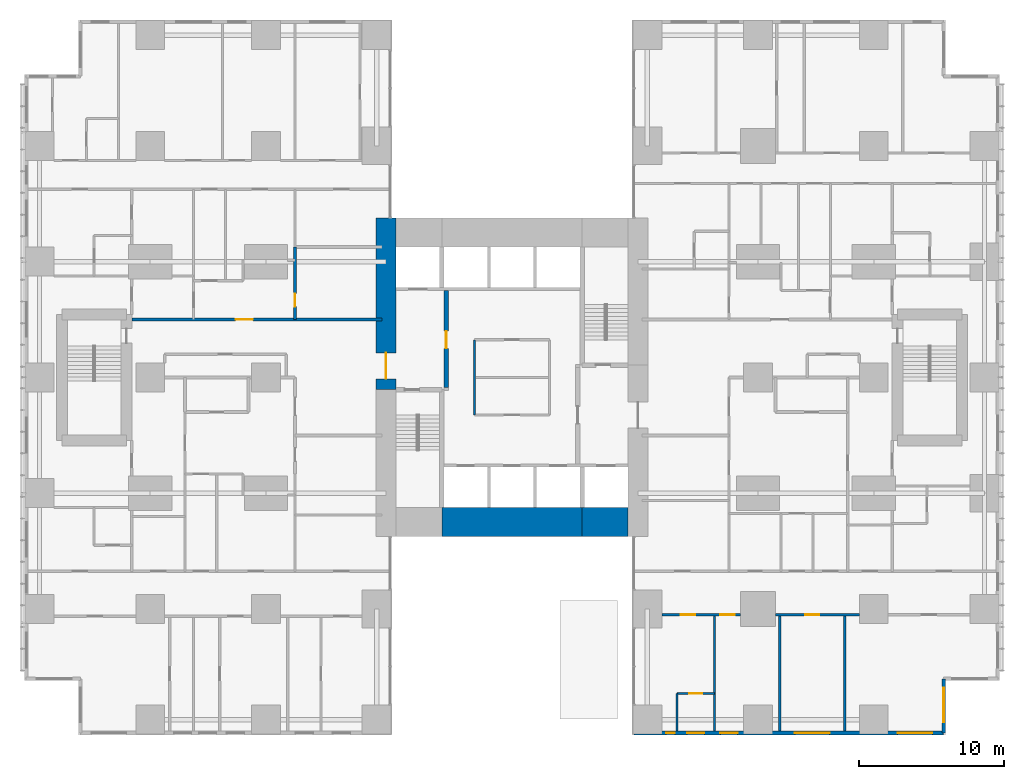
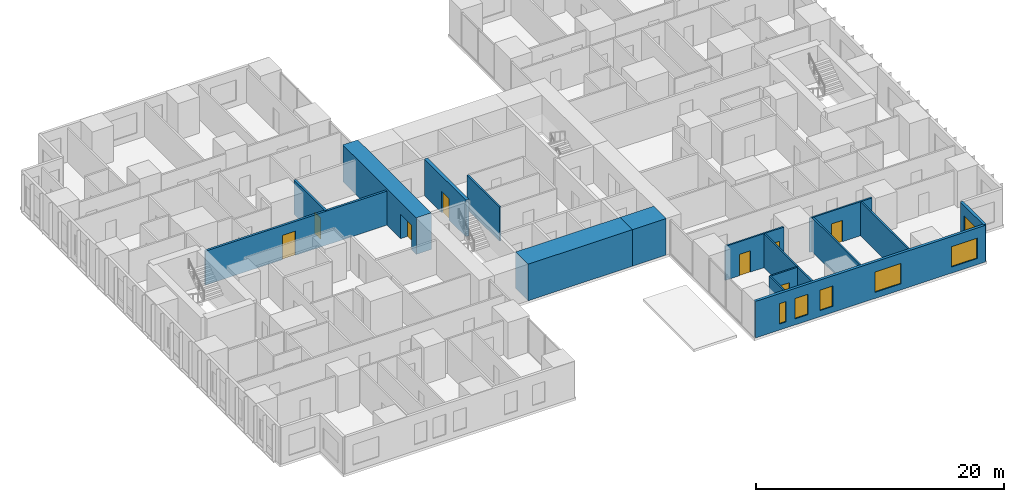
# One storey, part 16 of 22: 16 walls, 8 doors, 6 windows, 14 openings.
"""IFC4 building model written with IfcOpenShell, lengths in metres."""

from ifc_helpers import new_model, si_unit, direction, frame, frame_2d, origin, place, context, subcontext, project, spatial, rectangle, extrude, material, layer, layer_set, type_object, element, fill, save


model = new_model("IFC4")

# Units and contexts
model_context = context("Model", 3, precision=1e-05, world=origin(), true_north=direction((0.0, 1.0)))
body_context = subcontext(model_context, "Body", "Model", "MODEL_VIEW")
ifc_project = project(units=[si_unit("LENGTHUNIT", "METRE"), si_unit("AREAUNIT", "SQUARE_METRE"), si_unit("VOLUMEUNIT", "CUBIC_METRE"), si_unit("PLANEANGLEUNIT", "RADIAN"), si_unit("MASSUNIT", "GRAM", prefix="KILO")], contexts=[model_context])

# Site, building, storey
site_placement = place(None, origin())
site = spatial("IfcSite", under=ifc_project, at=site_placement, CompositionType="ELEMENT")
building_placement = place(site_placement, origin())
building = spatial("IfcBuilding", under=site, at=building_placement, Name="Cleftline Residences", CompositionType="ELEMENT")
storey_placement = place(building_placement, frame((0.0, 0.0, 29.60009765625)))
storey = spatial("IfcBuildingStorey", under=building, at=storey_placement, Name="L06", CompositionType="ELEMENT", Elevation=29.60009765625)

# Wall, opening, door
ifc_material_1 = material(Name="Concrete B70", Category="concrete")
ifc_layer_1 = layer(ifc_material_1, 1.39990234375)
ifc_layer_set_1 = layer_set([ifc_layer_1], Name="CORE WALL 1400")
wall_type_1 = type_object("IfcWallType", Name="CORE WALL 1400", PredefinedType="SHEAR", material=ifc_layer_set_1)
wall_1_placement = place(storey_placement, frame((24.300048828125, 23.14990234375, 0.0), z_axis=(0.0, 0.0, 1.0), x_axis=(0.0, 1.0, 0.0)))
wall_1 = element("IfcWall", 1, at=wall_1_placement, inside=storey, type_object=wall_type_1, Name="Core wall W", PredefinedType="SHEAR", context=body_context, shape_type="SweptSolid", body=[
    extrude(rectangle(XDim=11.85009765625, YDim=1.39990234375, at=frame_2d((5.925048828125, 0.0))), origin(), (0.0, 0.0, 1.0), 3.599853515625),
])
opening_1_placement = place(wall_1_placement, frame((0.75, 0.0, 0.0)))
opening_1 = element("IfcOpeningElement", 2, at=opening_1_placement, cuts=wall_1, Name="Opening D7", PredefinedType="OPENING", context=body_context, shape_type="SweptSolid", body=[
    extrude(rectangle(XDim=1.800048828125, YDim=2.39990234375, at=frame_2d((0.89990234375, 1.199951171875))), frame((0.0, 0.7099609375, 0.0), z_axis=(0.0, -1.0, 0.0), x_axis=(1.0, 0.0, 0.0)), (0.0, 0.0, 1.0), 1.419921875),
])
ifc_material_2 = material(Name="Steel", Category="steel")
door_type_1 = type_object("IfcDoorType", Name="WING DOOR 1800X2400", OperationType="DOUBLE_DOOR_DOUBLE_SWING", PredefinedType="DOOR", material=ifc_material_2)
door_1_placement = place(opening_1_placement, origin())
door_1 = element("IfcDoor", 3, at=door_1_placement, inside=storey, type_object=door_type_1, Name="West wing door", OperationType="DOUBLE_DOOR_DOUBLE_SWING", OverallHeight=2.39990234375, OverallWidth=1.800048828125, PredefinedType="DOOR", context=body_context, shape_type="SweptSolid", body=[
    extrude(rectangle(XDim=1.800048828125, YDim=2.39990234375, at=frame_2d((0.89990234375, 1.199951171875))), frame((0.0, 0.02490234375, 0.0), z_axis=(0.0, -1.0, 0.0), x_axis=(1.0, 0.0, 0.0)), (0.0, 0.0, 1.0), 0.050048828125),
])
fill(opening_1, door_1)

# Walls
ifc_material_3 = material(Name="Concrete B70", Category="concrete")
ifc_layer_2 = layer(ifc_material_3, 2.0)
ifc_layer_set_2 = layer_set([ifc_layer_2], Name="CORE WALL 2000")
wall_type_2 = type_object("IfcWallType", Name="CORE WALL 2000", PredefinedType="SHEAR", material=ifc_layer_set_2)
wall_2_placement = place(storey_placement, frame((28.14990234375, 14.0, 0.0), z_axis=(0.0, 0.0, 1.0), x_axis=(1.0, 0.0, 0.0)))
element("IfcWall", 4, at=wall_2_placement, inside=storey, type_object=wall_type_2, Name="Core wall S2", PredefinedType="SHEAR", context=body_context, shape_type="SweptSolid", body=[
    extrude(rectangle(XDim=9.7001953125, YDim=2.0, at=frame_2d((4.85009765625, 0.0))), origin(), (0.0, 0.0, 1.0), 3.599853515625),
])
wall_3_placement = place(storey_placement, frame((37.85009765625, 14.0, 0.0), z_axis=(0.0, 0.0, 1.0), x_axis=(1.0, 0.0, 0.0)))
element("IfcWall", 5, at=wall_3_placement, inside=storey, type_object=wall_type_2, Name="Core wall S3", PredefinedType="SHEAR", context=body_context, shape_type="SweptSolid", body=[
    extrude(rectangle(XDim=3.14990234375, YDim=2.0, at=frame_2d((1.574951171875, 0.0))), origin(), (0.0, 0.0, 1.0), 3.599853515625),
])

# Wall, openings, windows
ifc_material_4 = material(Name="Rendered reinforced concrete blockwork", Category="masonry")
ifc_layer_3 = layer(ifc_material_4, 0.25)
ifc_layer_set_3 = layer_set([ifc_layer_3], Name="EXTERNAL WALL 250")
wall_type_3 = type_object("IfcWallType", Name="EXTERNAL WALL 250", PredefinedType="SOLIDWALL", material=ifc_layer_set_3)
wall_4_placement = place(storey_placement, frame((41.425048828125, -0.574951171875, 0.0), z_axis=(0.0, 0.0, 1.0), x_axis=(1.0, 0.0, 0.0)))
wall_4 = element("IfcWall", 6, at=wall_4_placement, inside=storey, type_object=wall_type_3, Name="External wall", PredefinedType="SOLIDWALL", context=body_context, shape_type="SweptSolid", body=[
    extrude(rectangle(XDim=21.39990234375, YDim=0.25, at=frame_2d((10.699951171875, 0.0))), origin(), (0.0, 0.0, 1.0), 3.599853515625),
])
opening_2_placement = place(wall_4_placement, frame((2.22509765625, 0.0, 0.60009765625)))
opening_2 = element("IfcOpeningElement", 7, at=opening_2_placement, cuts=wall_4, Name="Opening W7", PredefinedType="OPENING", context=body_context, shape_type="SweptSolid", body=[
    extrude(rectangle(XDim=0.60009765625, YDim=2.0, at=frame_2d((0.300048828125, 1.0))), frame((0.0, 0.135009765625, 0.0), z_axis=(0.0, -1.0, 0.0), x_axis=(1.0, 0.0, 0.0)), (0.0, 0.0, 1.0), 0.27001953125),
])
opening_3_placement = place(wall_4_placement, frame((3.675048828125, 0.0, 0.60009765625)))
opening_3 = element("IfcOpeningElement", 8, at=opening_3_placement, cuts=wall_4, Name="Opening W8", PredefinedType="OPENING", context=body_context, shape_type="SweptSolid", body=[
    extrude(rectangle(XDim=1.199951171875, YDim=2.0, at=frame_2d((0.60009765625, 1.0))), frame((0.0, 0.135009765625, 0.0), z_axis=(0.0, -1.0, 0.0), x_axis=(1.0, 0.0, 0.0)), (0.0, 0.0, 1.0), 0.27001953125),
])
opening_4_placement = place(wall_4_placement, frame((5.97509765625, 0.0, 0.60009765625)))
opening_4 = element("IfcOpeningElement", 9, at=opening_4_placement, cuts=wall_4, Name="Opening W8", PredefinedType="OPENING", context=body_context, shape_type="SweptSolid", body=[
    extrude(rectangle(XDim=1.199951171875, YDim=2.0, at=frame_2d((0.60009765625, 1.0))), frame((0.0, 0.135009765625, 0.0), z_axis=(0.0, -1.0, 0.0), x_axis=(1.0, 0.0, 0.0)), (0.0, 0.0, 1.0), 0.27001953125),
])
opening_5_placement = place(wall_4_placement, frame((11.125, 0.0, 0.60009765625)))
opening_5 = element("IfcOpeningElement", 10, at=opening_5_placement, cuts=wall_4, Name="Opening W6", PredefinedType="OPENING", context=body_context, shape_type="SweptSolid", body=[
    extrude(rectangle(XDim=2.39990234375, YDim=2.0, at=frame_2d((1.199951171875, 1.0))), frame((0.0, 0.135009765625, 0.0), z_axis=(0.0, -1.0, 0.0), x_axis=(1.0, 0.0, 0.0)), (0.0, 0.0, 1.0), 0.27001953125),
])
opening_6_placement = place(wall_4_placement, frame((18.22509765625, 0.0, 0.60009765625)))
opening_6 = element("IfcOpeningElement", 11, at=opening_6_placement, cuts=wall_4, Name="Opening W6", PredefinedType="OPENING", context=body_context, shape_type="SweptSolid", body=[
    extrude(rectangle(XDim=2.39990234375, YDim=2.0, at=frame_2d((1.199951171875, 1.0))), frame((0.0, 0.135009765625, 0.0), z_axis=(0.0, -1.0, 0.0), x_axis=(1.0, 0.0, 0.0)), (0.0, 0.0, 1.0), 0.27001953125),
])
ifc_material_5 = material(Name="Aluminium frame, clear double glazing", Category="aluminium")
window_type_1 = type_object("IfcWindowType", Name="WINDOW 1200X2000", PartitioningType="DOUBLE_PANEL_VERTICAL", PredefinedType="WINDOW", material=ifc_material_5)
window_1_placement = place(opening_3_placement, origin())
window_1 = element("IfcWindow", 12, at=window_1_placement, inside=storey, type_object=window_type_1, Name="Window", OverallHeight=2.0, OverallWidth=1.199951171875, PartitioningType="SINGLE_PANEL", PredefinedType="WINDOW", context=body_context, shape_type="SweptSolid", body=[
    extrude(rectangle(XDim=1.199951171875, YDim=2.0, at=frame_2d((0.60009765625, 1.0))), frame((0.0, 0.030029296875, 0.0), z_axis=(0.0, -1.0, 0.0), x_axis=(1.0, 0.0, 0.0)), (0.0, 0.0, 1.0), 0.06005859375),
])
fill(opening_3, window_1)
window_2_placement = place(opening_4_placement, origin())
window_2 = element("IfcWindow", 13, at=window_2_placement, inside=storey, type_object=window_type_1, Name="Window", OverallHeight=2.0, OverallWidth=1.199951171875, PartitioningType="SINGLE_PANEL", PredefinedType="WINDOW", context=body_context, shape_type="SweptSolid", body=[
    extrude(rectangle(XDim=1.199951171875, YDim=2.0, at=frame_2d((0.60009765625, 1.0))), frame((0.0, 0.030029296875, 0.0), z_axis=(0.0, -1.0, 0.0), x_axis=(1.0, 0.0, 0.0)), (0.0, 0.0, 1.0), 0.06005859375),
])
fill(opening_4, window_2)
ifc_material_6 = material(Name="Aluminium frame, clear double glazing", Category="aluminium")
window_type_2 = type_object("IfcWindowType", Name="WINDOW 2400X2000", PartitioningType="DOUBLE_PANEL_VERTICAL", PredefinedType="WINDOW", material=ifc_material_6)
window_3_placement = place(opening_5_placement, origin())
window_3 = element("IfcWindow", 14, at=window_3_placement, inside=storey, type_object=window_type_2, Name="Window", OverallHeight=2.0, OverallWidth=2.39990234375, PartitioningType="SINGLE_PANEL", PredefinedType="WINDOW", context=body_context, shape_type="SweptSolid", body=[
    extrude(rectangle(XDim=2.39990234375, YDim=2.0, at=frame_2d((1.199951171875, 1.0))), frame((0.0, 0.030029296875, 0.0), z_axis=(0.0, -1.0, 0.0), x_axis=(1.0, 0.0, 0.0)), (0.0, 0.0, 1.0), 0.06005859375),
])
fill(opening_5, window_3)
window_4_placement = place(opening_6_placement, origin())
window_4 = element("IfcWindow", 15, at=window_4_placement, inside=storey, type_object=window_type_2, Name="Window", OverallHeight=2.0, OverallWidth=2.39990234375, PartitioningType="SINGLE_PANEL", PredefinedType="WINDOW", context=body_context, shape_type="SweptSolid", body=[
    extrude(rectangle(XDim=2.39990234375, YDim=2.0, at=frame_2d((1.199951171875, 1.0))), frame((0.0, 0.030029296875, 0.0), z_axis=(0.0, -1.0, 0.0), x_axis=(1.0, 0.0, 0.0)), (0.0, 0.0, 1.0), 0.06005859375),
])
fill(opening_6, window_4)
ifc_material_7 = material(Name="Aluminium frame, clear double glazing", Category="aluminium")
window_type_3 = type_object("IfcWindowType", Name="WINDOW 600X2000", PartitioningType="DOUBLE_PANEL_VERTICAL", PredefinedType="WINDOW", material=ifc_material_7)
window_5_placement = place(opening_2_placement, origin())
window_5 = element("IfcWindow", 16, at=window_5_placement, inside=storey, type_object=window_type_3, Name="Window", OverallHeight=2.0, OverallWidth=0.60009765625, PartitioningType="SINGLE_PANEL", PredefinedType="WINDOW", context=body_context, shape_type="SweptSolid", body=[
    extrude(rectangle(XDim=0.60009765625, YDim=2.0, at=frame_2d((0.300048828125, 1.0))), frame((0.0, 0.030029296875, 0.0), z_axis=(0.0, -1.0, 0.0), x_axis=(1.0, 0.0, 0.0)), (0.0, 0.0, 1.0), 0.06005859375),
])
fill(opening_2, window_5)

# Wall, opening, window
wall_5_placement = place(storey_placement, frame((62.824951171875, -0.574951171875, 0.0), z_axis=(0.0, 0.0, 1.0), x_axis=(0.0, 1.0, 0.0)))
wall_5 = element("IfcWall", 17, at=wall_5_placement, inside=storey, type_object=wall_type_3, Name="External wall", PredefinedType="SOLIDWALL", context=body_context, shape_type="SweptSolid", body=[
    extrude(rectangle(XDim=3.75, YDim=0.25, at=frame_2d((1.875, 0.0))), origin(), (0.0, 0.0, 1.0), 3.599853515625),
])
opening_7_placement = place(wall_5_placement, frame((0.737548828125, 0.0, 0.60009765625)))
opening_7 = element("IfcOpeningElement", 18, at=opening_7_placement, cuts=wall_5, Name="Opening W6", PredefinedType="OPENING", context=body_context, shape_type="SweptSolid", body=[
    extrude(rectangle(XDim=2.39990234375, YDim=2.0, at=frame_2d((1.199951171875, 1.0))), frame((0.0, 0.135009765625, 0.0), z_axis=(0.0, -1.0, 0.0), x_axis=(1.0, 0.0, 0.0)), (0.0, 0.0, 1.0), 0.27001953125),
])
window_6_placement = place(opening_7_placement, origin())
window_6 = element("IfcWindow", 19, at=window_6_placement, inside=storey, type_object=window_type_2, Name="Window", OverallHeight=2.0, OverallWidth=2.39990234375, PartitioningType="SINGLE_PANEL", PredefinedType="WINDOW", context=body_context, shape_type="SweptSolid", body=[
    extrude(rectangle(XDim=2.39990234375, YDim=2.0, at=frame_2d((1.199951171875, 1.0))), frame((0.0, 0.030029296875, 0.0), z_axis=(0.0, -1.0, 0.0), x_axis=(1.0, 0.0, 0.0)), (0.0, 0.0, 1.0), 0.06005859375),
])
fill(opening_7, window_6)

# Wall, opening, door
ifc_material_8 = material(Name="Concrete blockwork, fire rated", Category="masonry")
ifc_layer_4 = layer(ifc_material_8, 0.199951171875)
ifc_layer_set_4 = layer_set([ifc_layer_4], Name="FIRE WALL 200")
wall_type_4 = type_object("IfcWallType", Name="FIRE WALL 200", PredefinedType="PARTITIONING", material=ifc_layer_set_4)
wall_6_placement = place(storey_placement, frame((6.72509765625, 28.0, 0.0), z_axis=(0.0, 0.0, 1.0), x_axis=(1.0, 0.0, 0.0)))
wall_6 = element("IfcWall", 20, at=wall_6_placement, inside=storey, type_object=wall_type_4, Name="Fire separating wall", PredefinedType="PARTITIONING", context=body_context, shape_type="SweptSolid", body=[
    extrude(rectangle(XDim=17.27490234375, YDim=0.199951171875, at=frame_2d((8.637451171875, 0.0))), origin(), (0.0, 0.0, 1.0), 3.349853515625),
])
opening_8_placement = place(wall_6_placement, frame((7.175048828125, 0.0, 0.0)))
opening_8 = element("IfcOpeningElement", 21, at=opening_8_placement, cuts=wall_6, Name="Opening D4", PredefinedType="OPENING", context=body_context, shape_type="SweptSolid", body=[
    extrude(rectangle(XDim=1.199951171875, YDim=2.39990234375, at=frame_2d((0.60009765625, 1.199951171875))), frame((0.0, 0.10986328125, 0.0), z_axis=(0.0, -1.0, 0.0), x_axis=(1.0, 0.0, 0.0)), (0.0, 0.0, 1.0), 0.219970703125),
])
ifc_material_9 = material(Name="Timber veneer on solid core", Category="wood")
door_type_2 = type_object("IfcDoorType", Name="APARTMENT ENTRANCE DOOR 1200X2400", OperationType="SINGLE_SWING_RIGHT", PredefinedType="DOOR", material=ifc_material_9)
door_2_placement = place(opening_8_placement, origin())
door_2 = element("IfcDoor", 22, at=door_2_placement, inside=storey, type_object=door_type_2, Name="Door to residence entrance foyer", OperationType="SINGLE_SWING_RIGHT", OverallHeight=2.39990234375, OverallWidth=1.199951171875, PredefinedType="DOOR", context=body_context, shape_type="SweptSolid", body=[
    extrude(rectangle(XDim=1.199951171875, YDim=2.39990234375, at=frame_2d((0.60009765625, 1.199951171875))), frame((0.0, 0.02490234375, 0.0), z_axis=(0.0, -1.0, 0.0), x_axis=(1.0, 0.0, 0.0)), (0.0, 0.0, 1.0), 0.050048828125),
])
fill(opening_8, door_2)

wall_7_placement = place(storey_placement, frame((18.0, 28.0, 0.0), z_axis=(0.0, 0.0, 1.0), x_axis=(0.0, 1.0, 0.0)))
wall_7 = element("IfcWall", 23, at=wall_7_placement, inside=storey, type_object=wall_type_4, Name="Fire separating wall", PredefinedType="PARTITIONING", context=body_context, shape_type="SweptSolid", body=[
    extrude(rectangle(XDim=5.0, YDim=0.199951171875, at=frame_2d((2.5, 0.0))), origin(), (0.0, 0.0, 1.0), 3.349853515625),
])
opening_9_placement = place(wall_7_placement, frame((0.887451171875, 0.0, 0.0)))
opening_9 = element("IfcOpeningElement", 24, at=opening_9_placement, cuts=wall_7, Name="Opening D1F30", PredefinedType="OPENING", context=body_context, shape_type="SweptSolid", body=[
    extrude(rectangle(XDim=0.89990234375, YDim=2.10009765625, at=frame_2d((0.449951171875, 1.050048828125))), frame((0.0, 0.10986328125, 0.0), z_axis=(0.0, -1.0, 0.0), x_axis=(1.0, 0.0, 0.0)), (0.0, 0.0, 1.0), 0.219970703125),
])
ifc_material_10 = material(Name="Timber veneer on solid core", Category="wood")
door_type_3 = type_object("IfcDoorType", Name="DOOR 900X2100 EI 30", OperationType="SINGLE_SWING_LEFT", PredefinedType="DOOR", material=ifc_material_10)
door_3_placement = place(opening_9_placement, origin())
door_3 = element("IfcDoor", 25, at=door_3_placement, inside=storey, type_object=door_type_3, Name="Door to utility room and wc", OperationType="SINGLE_SWING_RIGHT", OverallHeight=2.10009765625, OverallWidth=0.89990234375, PredefinedType="DOOR", context=body_context, shape_type="SweptSolid", body=[
    extrude(rectangle(XDim=0.89990234375, YDim=2.10009765625, at=frame_2d((0.449951171875, 1.050048828125))), frame((0.0, 0.02490234375, 0.0), z_axis=(0.0, -1.0, 0.0), x_axis=(1.0, 0.0, 0.0)), (0.0, 0.0, 1.0), 0.050048828125),
])
fill(opening_9, door_3)

ifc_material_11 = material(Name="Gypsum board on steel studs", Category="steel")
ifc_layer_5 = layer(ifc_material_11, 0.14990234375)
ifc_layer_set_5 = layer_set([ifc_layer_5], Name="PARTITION 150")
wall_type_5 = type_object("IfcWallType", Name="PARTITION 150", PredefinedType="PARTITIONING", material=ifc_layer_set_5)
wall_8_placement = place(storey_placement, frame((44.39990234375, 2.14990234375, 0.0), z_axis=(0.0, 0.0, 1.0), x_axis=(1.0, 0.0, 0.0)))
wall_8 = element("IfcWall", 26, at=wall_8_placement, inside=storey, type_object=wall_type_5, Name="Partition", PredefinedType="PARTITIONING", context=body_context, shape_type="SweptSolid", body=[
    extrude(rectangle(XDim=2.60009765625, YDim=0.14990234375, at=frame_2d((1.300048828125, 0.0))), origin(), (0.0, 0.0, 1.0), 3.349853515625),
])
opening_10_placement = place(wall_8_placement, frame((0.85009765625, 0.0, 0.0)))
opening_10 = element("IfcOpeningElement", 27, at=opening_10_placement, cuts=wall_8, Name="Opening D1", PredefinedType="OPENING", context=body_context, shape_type="SweptSolid", body=[
    extrude(rectangle(XDim=0.89990234375, YDim=2.10009765625, at=frame_2d((0.449951171875, 1.050048828125))), frame((0.0, 0.0849609375, 0.0), z_axis=(0.0, -1.0, 0.0), x_axis=(1.0, 0.0, 0.0)), (0.0, 0.0, 1.0), 0.169921875),
])
ifc_material_12 = material(Name="Timber veneer on solid core", Category="wood")
door_type_4 = type_object("IfcDoorType", Name="DOOR 900X2100", OperationType="SINGLE_SWING_LEFT", PredefinedType="DOOR", material=ifc_material_12)
door_4_placement = place(opening_10_placement, origin())
door_4 = element("IfcDoor", 28, at=door_4_placement, inside=storey, type_object=door_type_4, Name="Door to en-suite bathroom 3", OperationType="SINGLE_SWING_LEFT", OverallHeight=2.10009765625, OverallWidth=0.89990234375, PredefinedType="DOOR", context=body_context, shape_type="SweptSolid", body=[
    extrude(rectangle(XDim=0.89990234375, YDim=2.10009765625, at=frame_2d((0.449951171875, 1.050048828125))), frame((0.0, 0.02490234375, 0.0), z_axis=(0.0, -1.0, 0.0), x_axis=(1.0, 0.0, 0.0)), (0.0, 0.0, 1.0), 0.050048828125),
])
fill(opening_10, door_4)

# Wall, openings, doors
wall_9_placement = place(storey_placement, frame((43.35009765625, 7.60009765625, 0.0), z_axis=(0.0, 0.0, 1.0), x_axis=(1.0, 0.0, 0.0)))
wall_9 = element("IfcWall", 29, at=wall_9_placement, inside=storey, type_object=wall_type_5, Name="Partition", PredefinedType="PARTITIONING", context=body_context, shape_type="SweptSolid", body=[
    extrude(rectangle(XDim=5.449951171875, YDim=0.14990234375, at=frame_2d((2.72509765625, 0.0))), origin(), (0.0, 0.0, 1.0), 3.349853515625),
])
opening_11_placement = place(wall_9_placement, frame((4.050048828125, 0.0, 0.0)))
opening_11 = element("IfcOpeningElement", 30, at=opening_11_placement, cuts=wall_9, Name="Opening D2", PredefinedType="OPENING", context=body_context, shape_type="SweptSolid", body=[
    extrude(rectangle(XDim=1.0, YDim=2.10009765625, at=frame_2d((0.5, 1.050048828125))), frame((0.0, 0.0849609375, 0.0), z_axis=(0.0, -1.0, 0.0), x_axis=(1.0, 0.0, 0.0)), (0.0, 0.0, 1.0), 0.169921875),
])
opening_12_placement = place(wall_9_placement, frame((1.324951171875, 0.0, 0.0)))
opening_12 = element("IfcOpeningElement", 31, at=opening_12_placement, cuts=wall_9, Name="Opening D2", PredefinedType="OPENING", context=body_context, shape_type="SweptSolid", body=[
    extrude(rectangle(XDim=1.0, YDim=2.10009765625, at=frame_2d((0.5, 1.050048828125))), frame((0.0, 0.0849609375, 0.0), z_axis=(0.0, -1.0, 0.0), x_axis=(1.0, 0.0, 0.0)), (0.0, 0.0, 1.0), 0.169921875),
])
ifc_material_13 = material(Name="Timber veneer on solid core", Category="wood")
door_type_5 = type_object("IfcDoorType", Name="DOOR 1000X2100", OperationType="SINGLE_SWING_LEFT", PredefinedType="DOOR", material=ifc_material_13)
door_5_placement = place(opening_11_placement, origin())
door_5 = element("IfcDoor", 32, at=door_5_placement, inside=storey, type_object=door_type_5, Name="Door to show kitchen", OperationType="SINGLE_SWING_LEFT", OverallHeight=2.10009765625, OverallWidth=1.0, PredefinedType="DOOR", context=body_context, shape_type="SweptSolid", body=[
    extrude(rectangle(XDim=1.0, YDim=2.10009765625, at=frame_2d((0.5, 1.050048828125))), frame((0.0, 0.02490234375, 0.0), z_axis=(0.0, -1.0, 0.0), x_axis=(1.0, 0.0, 0.0)), (0.0, 0.0, 1.0), 0.050048828125),
])
fill(opening_11, door_5)
door_6_placement = place(opening_12_placement, origin())
door_6 = element("IfcDoor", 33, at=door_6_placement, inside=storey, type_object=door_type_5, Name="Door to bedroom 3", OperationType="SINGLE_SWING_RIGHT", OverallHeight=2.10009765625, OverallWidth=1.0, PredefinedType="DOOR", context=body_context, shape_type="SweptSolid", body=[
    extrude(rectangle(XDim=1.0, YDim=2.10009765625, at=frame_2d((0.5, 1.050048828125))), frame((0.0, 0.02490234375, 0.0), z_axis=(0.0, -1.0, 0.0), x_axis=(1.0, 0.0, 0.0)), (0.0, 0.0, 1.0), 0.050048828125),
])
fill(opening_12, door_6)

# Wall, opening, door
wall_10_placement = place(storey_placement, frame((51.199951171875, 7.60009765625, 0.0), z_axis=(0.0, 0.0, 1.0), x_axis=(1.0, 0.0, 0.0)))
wall_10 = element("IfcWall", 34, at=wall_10_placement, inside=storey, type_object=wall_type_5, Name="Partition", PredefinedType="PARTITIONING", context=body_context, shape_type="SweptSolid", body=[
    extrude(rectangle(XDim=5.800048828125, YDim=0.14990234375, at=frame_2d((2.89990234375, 0.0))), origin(), (0.0, 0.0, 1.0), 3.349853515625),
])
opening_13_placement = place(wall_10_placement, frame((2.050048828125, 0.0, 0.0)))
opening_13 = element("IfcOpeningElement", 35, at=opening_13_placement, cuts=wall_10, Name="Opening D2", PredefinedType="OPENING", context=body_context, shape_type="SweptSolid", body=[
    extrude(rectangle(XDim=1.0, YDim=2.10009765625, at=frame_2d((0.5, 1.050048828125))), frame((0.0, 0.0849609375, 0.0), z_axis=(0.0, -1.0, 0.0), x_axis=(1.0, 0.0, 0.0)), (0.0, 0.0, 1.0), 0.169921875),
])
door_7_placement = place(opening_13_placement, origin())
door_7 = element("IfcDoor", 36, at=door_7_placement, inside=storey, type_object=door_type_5, Name="Door to dining room", OperationType="SINGLE_SWING_RIGHT", OverallHeight=2.10009765625, OverallWidth=1.0, PredefinedType="DOOR", context=body_context, shape_type="SweptSolid", body=[
    extrude(rectangle(XDim=1.0, YDim=2.10009765625, at=frame_2d((0.5, 1.050048828125))), frame((0.0, 0.02490234375, 0.0), z_axis=(0.0, -1.0, 0.0), x_axis=(1.0, 0.0, 0.0)), (0.0, 0.0, 1.0), 0.050048828125),
])
fill(opening_13, door_7)

# Walls
wall_11_placement = place(storey_placement, frame((44.39990234375, -0.449951171875, 0.0), z_axis=(0.0, 0.0, 1.0), x_axis=(0.0, 1.0, 0.0)))
element("IfcWall", 37, at=wall_11_placement, inside=storey, type_object=wall_type_5, Name="Partition", PredefinedType="PARTITIONING", context=body_context, shape_type="SweptSolid", body=[
    extrude(rectangle(XDim=2.599853515625, YDim=0.14990234375, at=frame_2d((1.2998046875, 0.0))), origin(), (0.0, 0.0, 1.0), 3.349853515625),
])
for number, where, z_axis, x_axis, name in (
    (38, (47.0, -0.449951171875, 0.0), (0.0, 0.0, 1.0), (0.0, 1.0, 0.0), "Partition"),
    (39, (51.5, -0.449951171875, 0.0), (0.0, 0.0, 1.0), (0.0, 1.0, 0.0), "Partition"),
    (40, (56.0, -0.449951171875, 0.0), (0.0, 0.0, 1.0), (0.0, 1.0, 0.0), "Partition"),
):
    element("IfcWall", number, at=place(storey_placement, frame(where, z_axis=z_axis, x_axis=x_axis)), inside=storey, type_object=wall_type_5, Name=name, PredefinedType="PARTITIONING", context=body_context, shape_type="SweptSolid", body=[
        extrude(rectangle(XDim=8.050048828125, YDim=0.14990234375, at=frame_2d((4.02490234375, 0.0))), origin(), (0.0, 0.0, 1.0), 3.349853515625),
    ])
ifc_material_14 = material(Name="Fire-resisting gypsum board on steel studs", Category="steel")
ifc_layer_6 = layer(ifc_material_14, 0.14990234375)
ifc_layer_set_6 = layer_set([ifc_layer_6], Name="PARTITION 150 EI 60")
wall_type_6 = type_object("IfcWallType", Name="PARTITION 150 EI 60", PredefinedType="PARTITIONING", material=ifc_layer_set_6)
wall_12_placement = place(storey_placement, frame((30.39990234375, 21.39990234375, 0.0), z_axis=(0.0, 0.0, 1.0), x_axis=(0.0, 1.0, 0.0)))
element("IfcWall", 41, at=wall_12_placement, inside=storey, type_object=wall_type_6, Name="Core room partition", PredefinedType="PARTITIONING", context=body_context, shape_type="SweptSolid", body=[
    extrude(rectangle(XDim=5.2001953125, YDim=0.14990234375, at=frame_2d((2.60009765625, 0.0))), origin(), (0.0, 0.0, 1.0), 3.349853515625),
])

# Wall, opening, door
ifc_material_15 = material(Name="Concrete blockwork, fire rated", Category="masonry")
ifc_layer_7 = layer(ifc_material_15, 0.300048828125)
ifc_layer_set_7 = layer_set([ifc_layer_7], Name="STAIR LOBBY WALL 300")
wall_type_7 = type_object("IfcWallType", Name="STAIR LOBBY WALL 300", PredefinedType="PARTITIONING", material=ifc_layer_set_7)
wall_13_placement = place(storey_placement, frame((28.449951171875, 23.300048828125, 0.0), z_axis=(0.0, 0.0, 1.0), x_axis=(0.0, 1.0, 0.0)))
wall_13 = element("IfcWall", 42, at=wall_13_placement, inside=storey, type_object=wall_type_7, Name="Stair and lobby wall FA-E", PredefinedType="PARTITIONING", context=body_context, shape_type="SweptSolid", body=[
    extrude(rectangle(XDim=6.699951171875, YDim=0.300048828125, at=frame_2d((3.35009765625, 0.0))), origin(), (0.0, 0.0, 1.0), 3.599853515625),
])
opening_14_placement = place(wall_13_placement, frame((2.699951171875, 0.0, 0.0)))
opening_14 = element("IfcOpeningElement", 43, at=opening_14_placement, cuts=wall_13, Name="Opening D6", PredefinedType="OPENING", context=body_context, shape_type="SweptSolid", body=[
    extrude(rectangle(XDim=1.199951171875, YDim=2.10009765625, at=frame_2d((0.60009765625, 1.050048828125))), frame((0.0, 0.159912109375, 0.0), z_axis=(0.0, -1.0, 0.0), x_axis=(1.0, 0.0, 0.0)), (0.0, 0.0, 1.0), 0.320068359375),
])
ifc_material_16 = material(Name="Steel", Category="steel")
door_type_6 = type_object("IfcDoorType", Name="LOBBY DOOR 1200X2100", OperationType="SINGLE_SWING_RIGHT", PredefinedType="DOOR", material=ifc_material_16)
door_8_placement = place(opening_14_placement, origin())
door_8 = element("IfcDoor", 44, at=door_8_placement, inside=storey, type_object=door_type_6, Name="Firefighting lobby A door", OperationType="SINGLE_SWING_RIGHT", OverallHeight=2.10009765625, OverallWidth=1.199951171875, PredefinedType="DOOR", context=body_context, shape_type="SweptSolid", body=[
    extrude(rectangle(XDim=1.199951171875, YDim=2.10009765625, at=frame_2d((0.60009765625, 1.050048828125))), frame((0.0, 0.02490234375, 0.0), z_axis=(0.0, -1.0, 0.0), x_axis=(1.0, 0.0, 0.0)), (0.0, 0.0, 1.0), 0.050048828125),
])
fill(opening_14, door_8)

save(model, "model.ifc")
